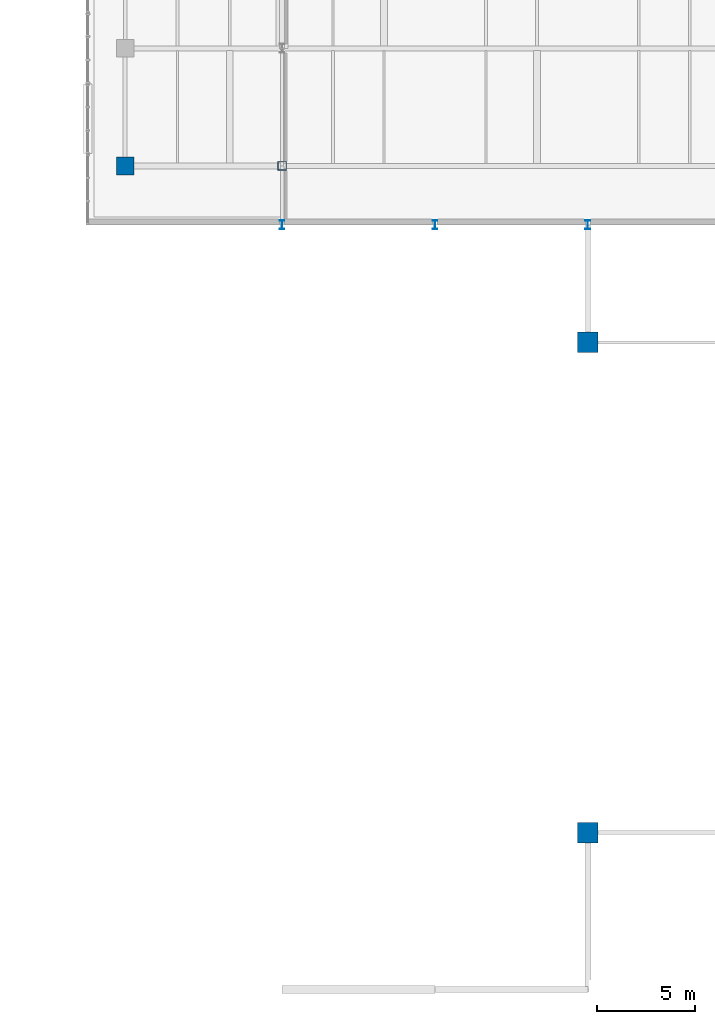
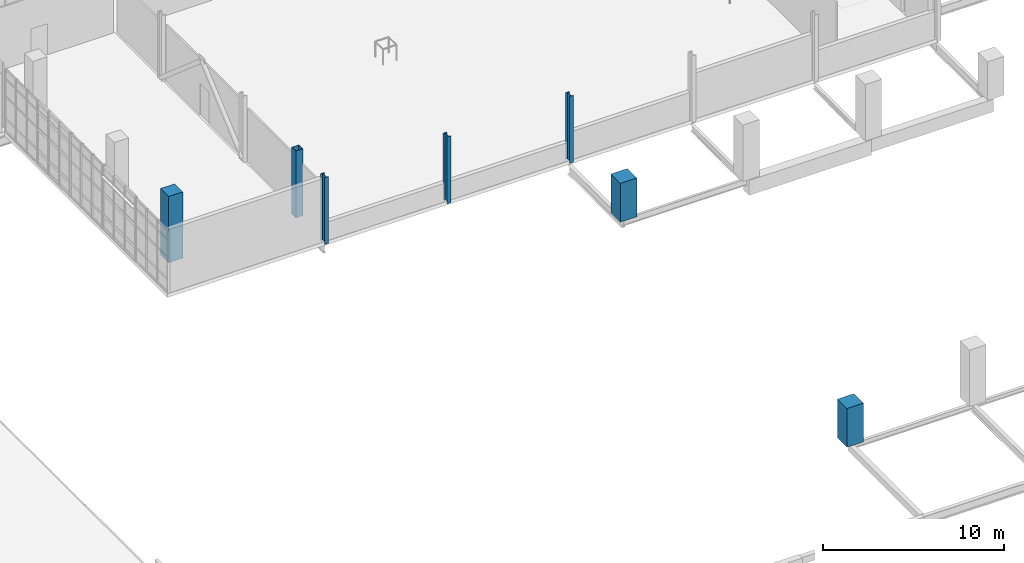
# One storey, part 1 of 38: 7 columns.
"""IFC4 building model written with IfcOpenShell, lengths in metres."""

from ifc_helpers import new_model, si_unit, derived_unit, direction, frame, origin, origin_2d, place, context, subcontext, project, spatial, rectangle, hollow_rectangle, i_section, extrude, material, material_profile, profile_set, type_object, element, save


model = new_model("IFC4")

# Units and contexts
model_context = context("Model", 3, precision=1e-05, world=origin(), true_north=direction((0.0, 1.0)))
body_context = subcontext(model_context, "Body", "Model", "MODEL_VIEW")
ifc_project = project(units=[si_unit("LENGTHUNIT", "METRE"), si_unit("AREAUNIT", "SQUARE_METRE"), si_unit("VOLUMEUNIT", "CUBIC_METRE"), si_unit("PLANEANGLEUNIT", "RADIAN"), si_unit("MASSUNIT", "GRAM", prefix="KILO"), derived_unit("THERMALTRANSMITTANCEUNIT", [(si_unit("POWERUNIT", "WATT"), 1), (si_unit("LENGTHUNIT", "METRE"), -2), (si_unit("THERMODYNAMICTEMPERATUREUNIT", "KELVIN"), -1)])], contexts=[model_context])

# Site, building, storey
site_placement = place(None, origin())
site = spatial("IfcSite", under=ifc_project, at=site_placement, CompositionType="ELEMENT")
building_placement = place(site_placement, origin())
building = spatial("IfcBuilding", under=site, at=building_placement, Name="Nallur Shell Playhouse", CompositionType="ELEMENT")
storey_placement = place(building_placement, frame((0.0, 0.0, 24.300048828125)))
storey = spatial("IfcBuildingStorey", under=building, at=storey_placement, Name="L06", CompositionType="ELEMENT", Elevation=24.300048828125)

# Columns
ifc_material_1 = material(Name="Concrete M45", Category="concrete")
ifc_material_profile_1 = material_profile(ifc_material_1, rectangle(XDim=1.050048828125, YDim=1.050048828125, at=origin_2d()), Name="RC 1050x1050")
ifc_profile_set_1 = profile_set([ifc_material_profile_1], Name="Concrete M45")
column_type_1 = type_object("IfcColumnType", Name="CL-RC-1050", PredefinedType="COLUMN", material=ifc_profile_set_1)
for number, where, z_axis, x_axis, name in (
    (1, (79.60009765625, 16.0, 0.0), (0.0, 0.0, 1.0), (1.0, 0.0, 0.0), "Column MC2S (L06)"),
    (2, (79.60009765625, 41.0, 0.0), (0.0, 0.0, 1.0), (1.0, 0.0, 0.0), "Column MC2N (L06)"),
):
    element("IfcColumn", number, at=place(storey_placement, frame(where, z_axis=z_axis, x_axis=x_axis)), inside=storey, type_object=column_type_1, Name=name, PredefinedType="COLUMN", context=body_context, shape_type="SweptSolid", body=[
        extrude(rectangle(XDim=1.050048828125, YDim=1.050048828125, at=origin_2d()), origin(), (0.0, 0.0, 1.0), 2.60791015625),
    ])
ifc_material_2 = material(Name="Concrete M40", Category="concrete")
ifc_material_profile_2 = material_profile(ifc_material_2, rectangle(XDim=0.89990234375, YDim=0.89990234375, at=origin_2d()), Name="RC 900x900")
ifc_profile_set_2 = profile_set([ifc_material_profile_2], Name="Concrete M40")
column_type_2 = type_object("IfcColumnType", Name="CL-RC-900", PredefinedType="COLUMN", material=ifc_profile_set_2)
column_1_placement = place(storey_placement, frame((56.0, 50.0, 0.0), z_axis=(0.0, 0.0, 1.0), x_axis=(1.0, 0.0, 0.0)))
element("IfcColumn", 3, at=column_1_placement, inside=storey, type_object=column_type_2, Name="Column 7-F (L06)", PredefinedType="COLUMN", context=body_context, shape_type="SweptSolid", body=[
    extrude(rectangle(XDim=0.89990234375, YDim=0.89990234375, at=origin_2d()), origin(), (0.0, 0.0, 1.0), 4.4599609375),
])
ifc_material_3 = material(Name="Steel E350", Category="steel")
ifc_material_profile_3 = material_profile(ifc_material_3, hollow_rectangle(XDim=0.449951171875, YDim=0.449951171875, WallThickness=0.02001953125, at=origin_2d()), Name="BOX 450x450x20")
ifc_profile_set_3 = profile_set([ifc_material_profile_3], Name="Steel E350")
column_type_3 = type_object("IfcColumnType", Name="CL-ST-BOX450", PredefinedType="COLUMN", material=ifc_profile_set_3)
column_2_placement = place(storey_placement, frame((64.0, 50.0, 0.0), z_axis=(0.0, 0.0, 1.0), x_axis=(1.0, 0.0, 0.0)))
element("IfcColumn", 4, at=column_2_placement, inside=storey, type_object=column_type_3, Name="Column 8-F (L06)", PredefinedType="COLUMN", context=body_context, shape_type="SweptSolid", body=[
    extrude(hollow_rectangle(XDim=0.449951171875, YDim=0.449951171875, WallThickness=0.02001953125, at=origin_2d()), origin(), (0.0, 0.0, 1.0), 4.5),
])
ifc_material_profile_4 = material_profile(ifc_material_3, i_section(OverallWidth=0.25, OverallDepth=0.449951171875, WebThickness=0.01123046875, FlangeThickness=0.013671875, FilletRadius=0.014892578125, at=origin_2d()), Name="ISHB 450")
ifc_profile_set_4 = profile_set([ifc_material_profile_4], Name="Steel E350")
column_type_4 = type_object("IfcColumnType", Name="CL-ST-ISHB450", PredefinedType="COLUMN", material=ifc_profile_set_4)
for number, where, z_axis, x_axis, name in (
    (5, (64.0, 47.0, 0.0), (0.0, 0.0, 1.0), (1.0, 0.0, 0.0), "Column PROSC-1 (L06)"),
    (6, (71.800048828125, 47.0, 0.0), (0.0, 0.0, 1.0), (1.0, 0.0, 0.0), "Column PROSC-2 (L06)"),
    (7, (79.60009765625, 47.0, 0.0), (0.0, 0.0, 1.0), (1.0, 0.0, 0.0), "Column PROSC-3 (L06)"),
):
    element("IfcColumn", number, at=place(storey_placement, frame(where, z_axis=z_axis, x_axis=x_axis)), inside=storey, type_object=column_type_4, Name=name, PredefinedType="COLUMN", context=body_context, shape_type="SweptSolid", body=[
        extrude(i_section(OverallWidth=0.25, OverallDepth=0.449951171875, WebThickness=0.01123046875, FlangeThickness=0.013671875, FilletRadius=0.014892578125, at=origin_2d()), origin(), (0.0, 0.0, 1.0), 4.5),
    ])

save(model, "model.ifc")
